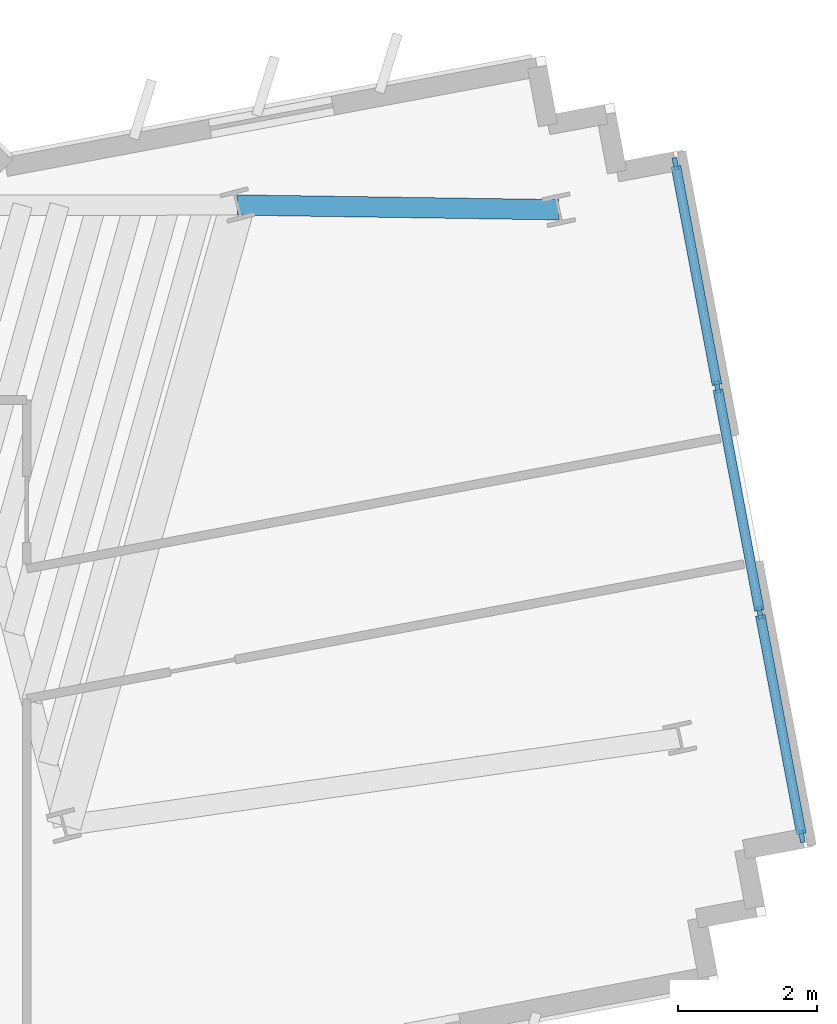
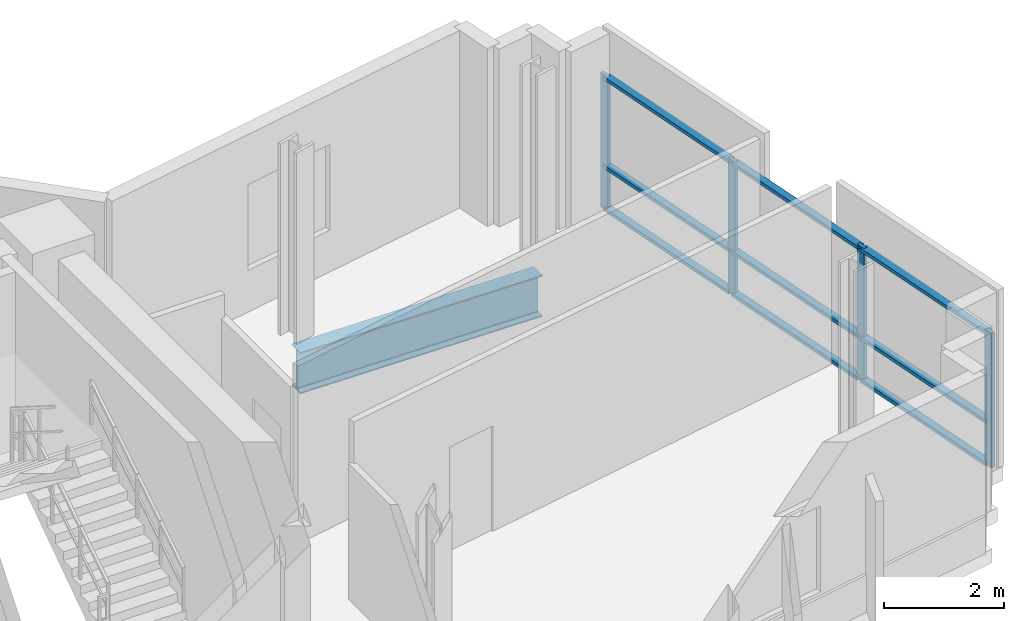
# One storey, part 6 of 16: 13 members, 1 beam, 1 element without a shape of its own.
"""IFC4 building model written with IfcOpenShell, lengths in metres."""

from ifc_helpers import new_model, si_unit, direction, frame, origin, origin_2d, place, context, subcontext, project, spatial, rectangle, i_section, extrude, source, transform, mapped, material, layer, layer_set, material_profile, profile_set, type_object, element, aggregate, save


model = new_model("IFC4")

# Units and contexts
model_context = context("Model", 3, precision=1e-05, world=origin(), true_north=direction((0.0, 1.0)))
body_context = subcontext(model_context, "Body", "Model", "MODEL_VIEW")
ifc_project = project(units=[si_unit("LENGTHUNIT", "METRE"), si_unit("AREAUNIT", "SQUARE_METRE"), si_unit("VOLUMEUNIT", "CUBIC_METRE"), si_unit("PLANEANGLEUNIT", "RADIAN"), si_unit("MASSUNIT", "GRAM", prefix="KILO")], contexts=[model_context])

# Site, building, storey
site_placement = place(None, origin())
site = spatial("IfcSite", under=ifc_project, at=site_placement, CompositionType="ELEMENT")
building_placement = place(site_placement, origin())
building = spatial("IfcBuilding", under=site, at=building_placement, Name="Zahravan Cultural Tower", CompositionType="ELEMENT")
storey_placement = place(building_placement, frame((0.0, 0.0, 151.199951171875)))
storey = spatial("IfcBuildingStorey", under=building, at=storey_placement, Name="L34", CompositionType="ELEMENT", Elevation=151.199951171875)

# Beam
ifc_material_1 = material(Name="Steel ASTM A992 Grade 50", Category="steel")
ifc_material_profile_1 = material_profile(ifc_material_1, i_section(OverallWidth=0.29296875, OverallDepth=0.845947265625, WebThickness=0.015380859375, FlangeThickness=0.0244140625, FilletRadius=0.02001953125, at=origin_2d()), Name="W33X141")
ifc_profile_set_1 = profile_set([ifc_material_profile_1], Name="Steel ASTM A992 Grade 50")
beam_type = type_object("IfcBeamType", Name="BM-G-W33X141", PredefinedType="BEAM", material=ifc_profile_set_1)
shared_shape_1 = source(origin(), body_context, "Body", "SweptSolid", [
    extrude(i_section(OverallWidth=0.29296875, OverallDepth=0.845947265625, WebThickness=0.015380859375, FlangeThickness=0.0244140625, FilletRadius=0.02001953125, at=origin_2d()), origin(), (0.0, 0.0, 1.0), 4.622314453125),
])
beam_placement = place(storey_placement, frame((55.184814453125, 36.2060546875, -0.702880859375), z_axis=(0.999889070044, -0.014894549562, 0.0), x_axis=(0.014894549562, 0.999889070044, 0.0)))
element("IfcBeam", 1, at=beam_placement, inside=storey, type_object=beam_type, Name="L34 Beam BG-L34-16", PredefinedType="BEAM", context=body_context, shape_type="MappedRepresentation", body=[
    mapped(shared_shape_1, transform((0.0, 0.0, 0.0), x_axis=(1.0, 0.0, 0.0), y_axis=(0.0, 1.0, 0.0), z_axis=(0.0, 0.0, 1.0), scale=1.0)),
])

# Curtain wall, members
ifc_material_2 = material(Name="Anodised bronze-aluminium mullion", Category="aluminium")
ifc_layer = layer(ifc_material_2, 0.179931640625)
ifc_layer_set = layer_set([ifc_layer], Name="Anodised bronze-aluminium mullion")
curtain_wall_type = type_object("IfcCurtainWallType", Name="CW-SYS-3", PredefinedType="USERDEFINED", material=ifc_layer_set)
curtain_wall_placement = place(storey_placement, origin())
curtain_wall = element("IfcCurtainWall", 2, at=curtain_wall_placement, inside=storey, type_object=curtain_wall_type, Name="L34 Recessed Curtain Wall CW-3.1", ObjectType="RECESSED GLAZING", PredefinedType="USERDEFINED")
ifc_material_profile_2 = material_profile(ifc_material_2, rectangle(XDim=0.070068359375, YDim=0.179931640625, at=origin_2d()), Name="AL-M70X180")
ifc_profile_set_2 = profile_set([ifc_material_profile_2], Name="Anodised bronze-aluminium mullion")
member_type_1 = type_object("IfcMemberType", Name="CWM-CW-3", PredefinedType="MULLION", material=ifc_profile_set_2)
shared_shape_2 = source(origin(), body_context, "Body", "SweptSolid", [
    extrude(rectangle(XDim=0.070068359375, YDim=0.179931640625, at=origin_2d()), origin(), (0.0, 0.0, 1.0), 2.739990234375),
])
member_1_placement = place(storey_placement, frame((61.48876953125, 36.7998046875, 0.0), z_axis=(0.0, 0.0, 1.0), x_axis=(0.982806619389, 0.184637885835, 0.0)))
member_1 = element("IfcMember", 3, at=member_1_placement, type_object=member_type_1, Name="CW-3 mullion 1", PredefinedType="MULLION", context=body_context, shape_type="MappedRepresentation", body=[
    mapped(shared_shape_2, transform((0.0, 0.0, 0.0), x_axis=(1.0, 0.0, 0.0), y_axis=(0.0, 1.0, 0.0), z_axis=(0.0, 0.0, 1.0), scale=1.0)),
])
member_2_placement = place(storey_placement, frame((62.093017578125, 33.584228515625, 0.0), z_axis=(0.0, 0.0, 1.0), x_axis=(0.982806619389, 0.184637885835, 0.0)))
member_2 = element("IfcMember", 4, at=member_2_placement, type_object=member_type_1, Name="CW-3 mullion 2", PredefinedType="MULLION", context=body_context, shape_type="MappedRepresentation", body=[
    mapped(shared_shape_2, transform((0.0, 0.0, 0.0), x_axis=(1.0, 0.0, 0.0), y_axis=(0.0, 1.0, 0.0), z_axis=(0.0, 0.0, 1.0), scale=1.0)),
])
member_3_placement = place(storey_placement, frame((62.703369140625, 30.33447265625, 0.0), z_axis=(0.0, 0.0, 1.0), x_axis=(0.982806619389, 0.184637885835, 0.0)))
member_3 = element("IfcMember", 5, at=member_3_placement, type_object=member_type_1, Name="CW-3 mullion 3", PredefinedType="MULLION", context=body_context, shape_type="MappedRepresentation", body=[
    mapped(shared_shape_2, transform((0.0, 0.0, 0.0), x_axis=(1.0, 0.0, 0.0), y_axis=(0.0, 1.0, 0.0), z_axis=(0.0, 0.0, 1.0), scale=1.0)),
])
member_4_placement = place(storey_placement, frame((63.3076171875, 27.119140625, 0.0), z_axis=(0.0, 0.0, 1.0), x_axis=(0.982806619389, 0.184637885835, 0.0)))
member_4 = element("IfcMember", 6, at=member_4_placement, type_object=member_type_1, Name="CW-3 mullion 4", PredefinedType="MULLION", context=body_context, shape_type="MappedRepresentation", body=[
    mapped(shared_shape_2, transform((0.0, 0.0, 0.0), x_axis=(1.0, 0.0, 0.0), y_axis=(0.0, 1.0, 0.0), z_axis=(0.0, 0.0, 1.0), scale=1.0)),
])
ifc_material_profile_3 = material_profile(ifc_material_2, rectangle(XDim=0.139892578125, YDim=0.070068359375, at=origin_2d()), Name="AL-T70X140")
ifc_profile_set_3 = profile_set([ifc_material_profile_3], Name="Anodised bronze-aluminium mullion")
member_type_2 = type_object("IfcMemberType", Name="CWT-CW-3", PredefinedType="USERDEFINED", material=ifc_profile_set_3)
shared_shape_3 = source(origin(), body_context, "Body", "SweptSolid", [
    extrude(rectangle(XDim=0.139892578125, YDim=0.070068359375, at=origin_2d()), origin(), (0.0, 0.0, 1.0), 3.20166015625),
])
member_5_placement = place(storey_placement, frame((61.495361328125, 36.765380859375, 0.03515625), z_axis=(0.18460619431, -0.982812572682, 0.0), x_axis=(0.982812572682, 0.18460619431, 0.0)))
member_5 = element("IfcMember", 7, at=member_5_placement, type_object=member_type_2, Name="CW-3 transom 1.1", ObjectType="TRANSOM", PredefinedType="USERDEFINED", context=body_context, shape_type="MappedRepresentation", body=[
    mapped(shared_shape_3, transform((0.0, 0.0, 0.0), x_axis=(1.0, 0.0, 0.0), y_axis=(0.0, 1.0, 0.0), z_axis=(0.0, 0.0, 1.0), scale=1.0)),
])
member_6_placement = place(storey_placement, frame((61.495361328125, 36.765380859375, 0.900146484375), z_axis=(0.18460619431, -0.982812572682, 0.0), x_axis=(0.982812572682, 0.18460619431, 0.0)))
member_6 = element("IfcMember", 8, at=member_6_placement, type_object=member_type_2, Name="CW-3 transom 1.2", ObjectType="TRANSOM", PredefinedType="USERDEFINED", context=body_context, shape_type="MappedRepresentation", body=[
    mapped(shared_shape_3, transform((0.0, 0.0, 0.0), x_axis=(1.0, 0.0, 0.0), y_axis=(0.0, 1.0, 0.0), z_axis=(0.0, 0.0, 1.0), scale=1.0)),
])
member_7_placement = place(storey_placement, frame((61.495361328125, 36.765380859375, 2.705078125), z_axis=(0.18460619431, -0.982812572682, 0.0), x_axis=(0.982812572682, 0.18460619431, 0.0)))
member_7 = element("IfcMember", 9, at=member_7_placement, type_object=member_type_2, Name="CW-3 transom 1.3", ObjectType="TRANSOM", PredefinedType="USERDEFINED", context=body_context, shape_type="MappedRepresentation", body=[
    mapped(shared_shape_3, transform((0.0, 0.0, 0.0), x_axis=(1.0, 0.0, 0.0), y_axis=(0.0, 1.0, 0.0), z_axis=(0.0, 0.0, 1.0), scale=1.0)),
])
shared_shape_4 = source(origin(), body_context, "Body", "SweptSolid", [
    extrude(rectangle(XDim=0.139892578125, YDim=0.070068359375, at=origin_2d()), origin(), (0.0, 0.0, 1.0), 3.236572265625),
])
member_8_placement = place(storey_placement, frame((62.099365234375, 33.5498046875, 0.03515625), z_axis=(0.184657427029, -0.982802948023, 0.0), x_axis=(0.982802948023, 0.184657427029, 0.0)))
member_8 = element("IfcMember", 10, at=member_8_placement, type_object=member_type_2, Name="CW-3 transom 2.1", ObjectType="TRANSOM", PredefinedType="USERDEFINED", context=body_context, shape_type="MappedRepresentation", body=[
    mapped(shared_shape_4, transform((0.0, 0.0, 0.0), x_axis=(1.0, 0.0, 0.0), y_axis=(0.0, 1.0, 0.0), z_axis=(0.0, 0.0, 1.0), scale=1.0)),
])
member_9_placement = place(storey_placement, frame((62.099365234375, 33.5498046875, 0.900146484375), z_axis=(0.184657427029, -0.982802948023, 0.0), x_axis=(0.982802948023, 0.184657427029, 0.0)))
member_9 = element("IfcMember", 11, at=member_9_placement, type_object=member_type_2, Name="CW-3 transom 2.2", ObjectType="TRANSOM", PredefinedType="USERDEFINED", context=body_context, shape_type="MappedRepresentation", body=[
    mapped(shared_shape_4, transform((0.0, 0.0, 0.0), x_axis=(1.0, 0.0, 0.0), y_axis=(0.0, 1.0, 0.0), z_axis=(0.0, 0.0, 1.0), scale=1.0)),
])
member_10_placement = place(storey_placement, frame((62.099365234375, 33.5498046875, 2.705078125), z_axis=(0.184657427029, -0.982802948023, 0.0), x_axis=(0.982802948023, 0.184657427029, 0.0)))
member_10 = element("IfcMember", 12, at=member_10_placement, type_object=member_type_2, Name="CW-3 transom 2.3", ObjectType="TRANSOM", PredefinedType="USERDEFINED", context=body_context, shape_type="MappedRepresentation", body=[
    mapped(shared_shape_4, transform((0.0, 0.0, 0.0), x_axis=(1.0, 0.0, 0.0), y_axis=(0.0, 1.0, 0.0), z_axis=(0.0, 0.0, 1.0), scale=1.0)),
])
shared_shape_5 = source(origin(), body_context, "Body", "SweptSolid", [
    extrude(rectangle(XDim=0.139892578125, YDim=0.070068359375, at=origin_2d()), origin(), (0.0, 0.0, 1.0), 3.201416015625),
])
member_11_placement = place(storey_placement, frame((62.7099609375, 30.300048828125, 0.03515625), z_axis=(0.184620029988, -0.982809973763, 0.0), x_axis=(0.982809973763, 0.184620029988, 0.0)))
member_11 = element("IfcMember", 13, at=member_11_placement, type_object=member_type_2, Name="CW-3 transom 3.1", ObjectType="TRANSOM", PredefinedType="USERDEFINED", context=body_context, shape_type="MappedRepresentation", body=[
    mapped(shared_shape_5, transform((0.0, 0.0, 0.0), x_axis=(1.0, 0.0, 0.0), y_axis=(0.0, 1.0, 0.0), z_axis=(0.0, 0.0, 1.0), scale=1.0)),
])
member_12_placement = place(storey_placement, frame((62.7099609375, 30.300048828125, 0.900146484375), z_axis=(0.184620029988, -0.982809973763, 0.0), x_axis=(0.982809973763, 0.184620029988, 0.0)))
member_12 = element("IfcMember", 14, at=member_12_placement, type_object=member_type_2, Name="CW-3 transom 3.2", ObjectType="TRANSOM", PredefinedType="USERDEFINED", context=body_context, shape_type="MappedRepresentation", body=[
    mapped(shared_shape_5, transform((0.0, 0.0, 0.0), x_axis=(1.0, 0.0, 0.0), y_axis=(0.0, 1.0, 0.0), z_axis=(0.0, 0.0, 1.0), scale=1.0)),
])
member_13_placement = place(storey_placement, frame((62.7099609375, 30.300048828125, 2.705078125), z_axis=(0.184620029988, -0.982809973763, 0.0), x_axis=(0.982809973763, 0.184620029988, 0.0)))
member_13 = element("IfcMember", 15, at=member_13_placement, type_object=member_type_2, Name="CW-3 transom 3.3", ObjectType="TRANSOM", PredefinedType="USERDEFINED", context=body_context, shape_type="MappedRepresentation", body=[
    mapped(shared_shape_5, transform((0.0, 0.0, 0.0), x_axis=(1.0, 0.0, 0.0), y_axis=(0.0, 1.0, 0.0), z_axis=(0.0, 0.0, 1.0), scale=1.0)),
])
aggregate(curtain_wall, [member_1, member_2, member_3, member_4, member_5, member_6, member_7, member_8, member_9, member_10, member_11, member_12, member_13])

save(model, "model.ifc")
